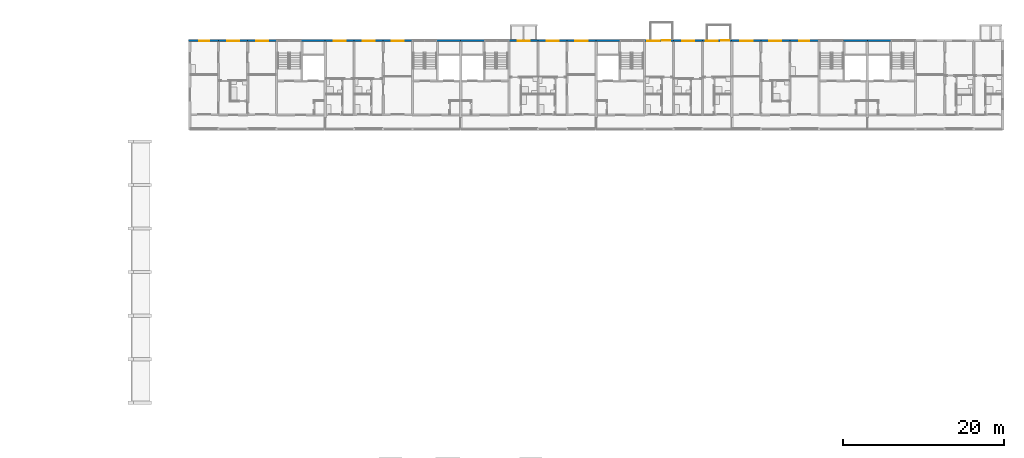
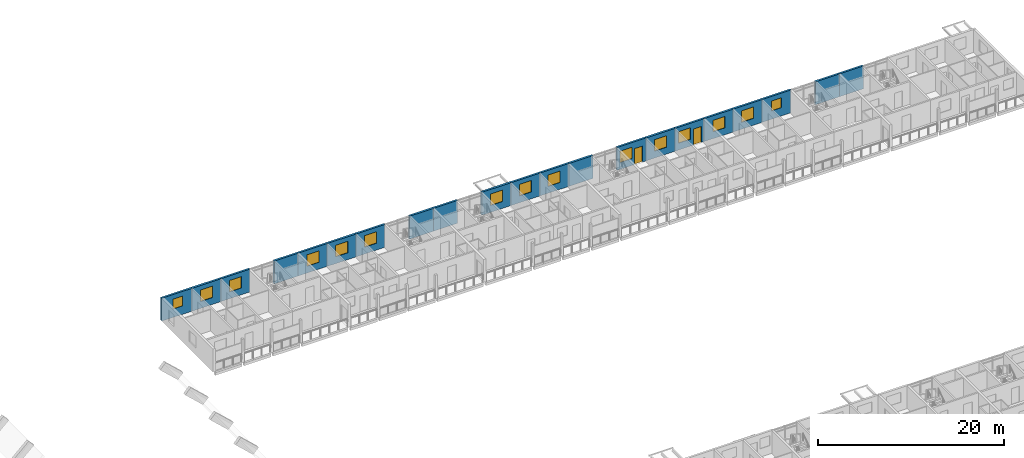
# One storey, part 59 of 98: 21 walls, 15 windows, 2 doors, 17 openings.
"""IFC4 building model written with IfcOpenShell, lengths in metres."""

from ifc_helpers import new_model, si_unit, direction, frame, frame_2d, origin, place, context, subcontext, project, spatial, rectangle, extrude, material, layer, layer_set, type_object, element, fill, save


model = new_model("IFC4")

# Units and contexts
model_context = context("Model", 3, precision=1e-05, world=origin(), true_north=direction((0.0, 1.0)))
body_context = subcontext(model_context, "Body", "Model", "MODEL_VIEW")
ifc_project = project(units=[si_unit("LENGTHUNIT", "METRE"), si_unit("AREAUNIT", "SQUARE_METRE"), si_unit("VOLUMEUNIT", "CUBIC_METRE"), si_unit("PLANEANGLEUNIT", "RADIAN"), si_unit("MASSUNIT", "GRAM", prefix="KILO")], contexts=[model_context])

# Site, building, storey
site_placement = place(None, origin())
site = spatial("IfcSite", under=ifc_project, at=site_placement, CompositionType="ELEMENT")
building_placement = place(site_placement, origin())
building = spatial("IfcBuilding", under=site, at=building_placement, Name="Ridgestep Commons", CompositionType="ELEMENT")
storey_placement = place(building_placement, frame((0.0, 0.0, 12.0)))
storey = spatial("IfcBuildingStorey", under=building, at=storey_placement, Name="L04", CompositionType="ELEMENT", Elevation=12.0)

# Wall, opening, window
ifc_material_1 = material(Name="Precast concrete C40/50", Category="concrete")
ifc_layer = layer(ifc_material_1, 0.25)
ifc_layer_set = layer_set([ifc_layer], Name="North facade panel 250")
wall_type = type_object("IfcWallType", Name="North facade panel 250", PredefinedType="SOLIDWALL", material=ifc_layer_set)
wall_1_placement = place(storey_placement, frame((146.64990234375, 77.125, 0.0), z_axis=(0.0, 0.0, 1.0), x_axis=(1.0, 0.0, 0.0)))
wall_1 = element("IfcWall", 1, at=wall_1_placement, inside=storey, type_object=wall_type, Name="North panel C1T1 L04", PredefinedType="SOLIDWALL", context=body_context, shape_type="SweptSolid", body=[
    extrude(rectangle(XDim=3.75, YDim=0.25, at=frame_2d((1.875, 0.0))), origin(), (0.0, 0.0, 1.0), 3.0),
])
opening_1_placement = place(wall_1_placement, frame((1.375, 0.0, 1.10009765625)))
opening_1 = element("IfcOpeningElement", 2, at=opening_1_placement, cuts=wall_1, Name="Opening W08", PredefinedType="OPENING", context=body_context, shape_type="SweptSolid", body=[
    extrude(rectangle(XDim=1.199951171875, YDim=1.300048828125, at=frame_2d((0.60009765625, 0.64990234375))), frame((0.0, 0.135009765625, 0.0), z_axis=(0.0, -1.0, 0.0), x_axis=(1.0, 0.0, 0.0)), (0.0, 0.0, 1.0), 0.27001953125),
])
ifc_material_2 = material(Name="Aluminium 6063-T6 and glass", Category="aluminium")
window_type_1 = type_object("IfcWindowType", Name="Flat window 1200 x 1300", PartitioningType="SINGLE_PANEL", PredefinedType="WINDOW", material=ifc_material_2)
window_1_placement = place(opening_1_placement, origin())
window_1 = element("IfcWindow", 3, at=window_1_placement, inside=storey, type_object=window_type_1, Name="Window C1-04a 2", OverallHeight=1.300048828125, OverallWidth=1.199951171875, PartitioningType="SINGLE_PANEL", PredefinedType="WINDOW", context=body_context, shape_type="SweptSolid", body=[
    extrude(rectangle(XDim=1.199951171875, YDim=1.300048828125, at=frame_2d((0.60009765625, 0.64990234375))), frame((0.0, -0.02490234375, 0.0), z_axis=(0.0, -1.0, 0.0), x_axis=(1.0, 0.0, 0.0)), (0.0, 0.0, 1.0), 0.06005859375),
])
fill(opening_1, window_1)

wall_2_placement = place(storey_placement, frame((150.39990234375, 77.125, 0.0), z_axis=(0.0, 0.0, 1.0), x_axis=(1.0, 0.0, 0.0)))
wall_2 = element("IfcWall", 4, at=wall_2_placement, inside=storey, type_object=wall_type, Name="North panel C1T2 L04", PredefinedType="SOLIDWALL", context=body_context, shape_type="SweptSolid", body=[
    extrude(rectangle(XDim=3.60009765625, YDim=0.25, at=frame_2d((1.800048828125, 0.0))), origin(), (0.0, 0.0, 1.0), 3.0),
])
opening_2_placement = place(wall_2_placement, frame((1.050048828125, 0.0, 0.89990234375)))
opening_2 = element("IfcOpeningElement", 5, at=opening_2_placement, cuts=wall_2, Name="Opening W16", PredefinedType="OPENING", context=body_context, shape_type="SweptSolid", body=[
    extrude(rectangle(XDim=1.5, YDim=1.5, at=frame_2d((0.75, 0.75))), frame((0.0, 0.135009765625, 0.0), z_axis=(0.0, -1.0, 0.0), x_axis=(1.0, 0.0, 0.0)), (0.0, 0.0, 1.0), 0.27001953125),
])
ifc_material_3 = material(Name="Aluminium 6063-T6 and glass", Category="aluminium")
window_type_2 = type_object("IfcWindowType", Name="Flat window 1500 x 1500", PartitioningType="DOUBLE_PANEL_VERTICAL", PredefinedType="WINDOW", material=ifc_material_3)
window_2_placement = place(opening_2_placement, origin())
window_2 = element("IfcWindow", 6, at=window_2_placement, inside=storey, type_object=window_type_2, Name="Window C1-04a 5", OverallHeight=1.5, OverallWidth=1.5, PartitioningType="SINGLE_PANEL", PredefinedType="WINDOW", context=body_context, shape_type="SweptSolid", body=[
    extrude(rectangle(XDim=1.5, YDim=1.5, at=frame_2d((0.75, 0.75))), frame((0.0, -0.02490234375, 0.0), z_axis=(0.0, -1.0, 0.0), x_axis=(1.0, 0.0, 0.0)), (0.0, 0.0, 1.0), 0.06005859375),
])
fill(opening_2, window_2)

wall_3_placement = place(storey_placement, frame((154.0, 77.125, 0.0), z_axis=(0.0, 0.0, 1.0), x_axis=(1.0, 0.0, 0.0)))
wall_3 = element("IfcWall", 7, at=wall_3_placement, inside=storey, type_object=wall_type, Name="North panel C1T3 L04", PredefinedType="SOLIDWALL", context=body_context, shape_type="SweptSolid", body=[
    extrude(rectangle(XDim=3.60009765625, YDim=0.25, at=frame_2d((1.800048828125, 0.0))), origin(), (0.0, 0.0, 1.0), 3.0),
])
opening_3_placement = place(wall_3_placement, frame((1.03759765625, 0.0, 0.89990234375)))
opening_3 = element("IfcOpeningElement", 8, at=opening_3_placement, cuts=wall_3, Name="Opening W16", PredefinedType="OPENING", context=body_context, shape_type="SweptSolid", body=[
    extrude(rectangle(XDim=1.5, YDim=1.5, at=frame_2d((0.75, 0.75))), frame((0.0, 0.135009765625, 0.0), z_axis=(0.0, -1.0, 0.0), x_axis=(1.0, 0.0, 0.0)), (0.0, 0.0, 1.0), 0.27001953125),
])
window_3_placement = place(opening_3_placement, origin())
window_3 = element("IfcWindow", 9, at=window_3_placement, inside=storey, type_object=window_type_2, Name="Window C1-04a 4", OverallHeight=1.5, OverallWidth=1.5, PartitioningType="SINGLE_PANEL", PredefinedType="WINDOW", context=body_context, shape_type="SweptSolid", body=[
    extrude(rectangle(XDim=1.5, YDim=1.5, at=frame_2d((0.75, 0.75))), frame((0.0, -0.02490234375, 0.0), z_axis=(0.0, -1.0, 0.0), x_axis=(1.0, 0.0, 0.0)), (0.0, 0.0, 1.0), 0.06005859375),
])
fill(opening_3, window_3)

# Wall
wall_4_placement = place(storey_placement, frame((160.625, 77.125, 0.0), z_axis=(0.0, 0.0, 1.0), x_axis=(1.0, 0.0, 0.0)))
element("IfcWall", 10, at=wall_4_placement, inside=storey, type_object=wall_type, Name="North panel C1C L04", PredefinedType="SOLIDWALL", context=body_context, shape_type="SweptSolid", body=[
    extrude(rectangle(XDim=2.97509765625, YDim=0.25, at=frame_2d((1.487548828125, 0.0))), origin(), (0.0, 0.0, 1.0), 3.0),
])

# Wall, opening, window
wall_5_placement = place(storey_placement, frame((163.60009765625, 77.125, 0.0), z_axis=(0.0, 0.0, 1.0), x_axis=(1.0, 0.0, 0.0)))
wall_5 = element("IfcWall", 11, at=wall_5_placement, inside=storey, type_object=wall_type, Name="North panel C2T1 L04", PredefinedType="SOLIDWALL", context=body_context, shape_type="SweptSolid", body=[
    extrude(rectangle(XDim=3.599853515625, YDim=0.25, at=frame_2d((1.7998046875, 0.0))), origin(), (0.0, 0.0, 1.0), 3.0),
])
opening_4_placement = place(wall_5_placement, frame((1.074951171875, 0.0, 0.89990234375)))
opening_4 = element("IfcOpeningElement", 12, at=opening_4_placement, cuts=wall_5, Name="Opening W16", PredefinedType="OPENING", context=body_context, shape_type="SweptSolid", body=[
    extrude(rectangle(XDim=1.5, YDim=1.5, at=frame_2d((0.75, 0.75))), frame((0.0, 0.135009765625, 0.0), z_axis=(0.0, -1.0, 0.0), x_axis=(1.0, 0.0, 0.0)), (0.0, 0.0, 1.0), 0.27001953125),
])
window_4_placement = place(opening_4_placement, origin())
window_4 = element("IfcWindow", 13, at=window_4_placement, inside=storey, type_object=window_type_2, Name="Window C2-04a 2", OverallHeight=1.5, OverallWidth=1.5, PartitioningType="SINGLE_PANEL", PredefinedType="WINDOW", context=body_context, shape_type="SweptSolid", body=[
    extrude(rectangle(XDim=1.5, YDim=1.5, at=frame_2d((0.75, 0.75))), frame((0.0, -0.02490234375, 0.0), z_axis=(0.0, -1.0, 0.0), x_axis=(1.0, 0.0, 0.0)), (0.0, 0.0, 1.0), 0.06005859375),
])
fill(opening_4, window_4)

wall_6_placement = place(storey_placement, frame((167.199951171875, 77.125, 0.0), z_axis=(0.0, 0.0, 1.0), x_axis=(1.0, 0.0, 0.0)))
wall_6 = element("IfcWall", 14, at=wall_6_placement, inside=storey, type_object=wall_type, Name="North panel C2T2 L04", PredefinedType="SOLIDWALL", context=body_context, shape_type="SweptSolid", body=[
    extrude(rectangle(XDim=3.60009765625, YDim=0.25, at=frame_2d((1.800048828125, 0.0))), origin(), (0.0, 0.0, 1.0), 3.0),
])
opening_5_placement = place(wall_6_placement, frame((1.050048828125, 0.0, 0.89990234375)))
opening_5 = element("IfcOpeningElement", 15, at=opening_5_placement, cuts=wall_6, Name="Opening W16", PredefinedType="OPENING", context=body_context, shape_type="SweptSolid", body=[
    extrude(rectangle(XDim=1.5, YDim=1.5, at=frame_2d((0.75, 0.75))), frame((0.0, 0.135009765625, 0.0), z_axis=(0.0, -1.0, 0.0), x_axis=(1.0, 0.0, 0.0)), (0.0, 0.0, 1.0), 0.27001953125),
])
window_5_placement = place(opening_5_placement, origin())
window_5 = element("IfcWindow", 16, at=window_5_placement, inside=storey, type_object=window_type_2, Name="Window C2-04b 4", OverallHeight=1.5, OverallWidth=1.5, PartitioningType="SINGLE_PANEL", PredefinedType="WINDOW", context=body_context, shape_type="SweptSolid", body=[
    extrude(rectangle(XDim=1.5, YDim=1.5, at=frame_2d((0.75, 0.75))), frame((0.0, -0.02490234375, 0.0), z_axis=(0.0, -1.0, 0.0), x_axis=(1.0, 0.0, 0.0)), (0.0, 0.0, 1.0), 0.06005859375),
])
fill(opening_5, window_5)

wall_7_placement = place(storey_placement, frame((170.800048828125, 77.125, 0.0), z_axis=(0.0, 0.0, 1.0), x_axis=(1.0, 0.0, 0.0)))
wall_7 = element("IfcWall", 17, at=wall_7_placement, inside=storey, type_object=wall_type, Name="North panel C2T3 L04", PredefinedType="SOLIDWALL", context=body_context, shape_type="SweptSolid", body=[
    extrude(rectangle(XDim=3.599853515625, YDim=0.25, at=frame_2d((1.7998046875, 0.0))), origin(), (0.0, 0.0, 1.0), 3.0),
])
opening_6_placement = place(wall_7_placement, frame((1.03759765625, 0.0, 0.89990234375)))
opening_6 = element("IfcOpeningElement", 18, at=opening_6_placement, cuts=wall_7, Name="Opening W16", PredefinedType="OPENING", context=body_context, shape_type="SweptSolid", body=[
    extrude(rectangle(XDim=1.5, YDim=1.5, at=frame_2d((0.75, 0.75))), frame((0.0, 0.135009765625, 0.0), z_axis=(0.0, -1.0, 0.0), x_axis=(1.0, 0.0, 0.0)), (0.0, 0.0, 1.0), 0.27001953125),
])
window_6_placement = place(opening_6_placement, origin())
window_6 = element("IfcWindow", 19, at=window_6_placement, inside=storey, type_object=window_type_2, Name="Window C2-04b 2", OverallHeight=1.5, OverallWidth=1.5, PartitioningType="SINGLE_PANEL", PredefinedType="WINDOW", context=body_context, shape_type="SweptSolid", body=[
    extrude(rectangle(XDim=1.5, YDim=1.5, at=frame_2d((0.75, 0.75))), frame((0.0, -0.02490234375, 0.0), z_axis=(0.0, -1.0, 0.0), x_axis=(1.0, 0.0, 0.0)), (0.0, 0.0, 1.0), 0.06005859375),
])
fill(opening_6, window_6)

# Walls
wall_8_placement = place(storey_placement, frame((177.425048828125, 77.125, 0.0), z_axis=(0.0, 0.0, 1.0), x_axis=(1.0, 0.0, 0.0)))
element("IfcWall", 20, at=wall_8_placement, inside=storey, type_object=wall_type, Name="North panel C2C L04", PredefinedType="SOLIDWALL", context=body_context, shape_type="SweptSolid", body=[
    extrude(rectangle(XDim=2.974853515625, YDim=0.25, at=frame_2d((1.4873046875, 0.0))), origin(), (0.0, 0.0, 1.0), 3.0),
])
wall_9_placement = place(storey_placement, frame((180.39990234375, 77.125, 0.0), z_axis=(0.0, 0.0, 1.0), x_axis=(1.0, 0.0, 0.0)))
element("IfcWall", 21, at=wall_9_placement, inside=storey, type_object=wall_type, Name="North panel C3C L04", PredefinedType="SOLIDWALL", context=body_context, shape_type="SweptSolid", body=[
    extrude(rectangle(XDim=2.97509765625, YDim=0.25, at=frame_2d((1.487548828125, 0.0))), origin(), (0.0, 0.0, 1.0), 3.0),
])

# Wall, opening, window
wall_10_placement = place(storey_placement, frame((186.39990234375, 77.125, 0.0), z_axis=(0.0, 0.0, 1.0), x_axis=(1.0, 0.0, 0.0)))
wall_10 = element("IfcWall", 22, at=wall_10_placement, inside=storey, type_object=wall_type, Name="North panel C3T3 L04", PredefinedType="SOLIDWALL", context=body_context, shape_type="SweptSolid", body=[
    extrude(rectangle(XDim=3.60009765625, YDim=0.25, at=frame_2d((1.800048828125, 0.0))), origin(), (0.0, 0.0, 1.0), 3.0),
])
opening_7_placement = place(wall_10_placement, frame((1.0625, 0.0, 0.89990234375)))
opening_7 = element("IfcOpeningElement", 23, at=opening_7_placement, cuts=wall_10, Name="Opening W16", PredefinedType="OPENING", context=body_context, shape_type="SweptSolid", body=[
    extrude(rectangle(XDim=1.5, YDim=1.5, at=frame_2d((0.75, 0.75))), frame((0.0, 0.135009765625, 0.0), z_axis=(0.0, -1.0, 0.0), x_axis=(1.0, 0.0, 0.0)), (0.0, 0.0, 1.0), 0.27001953125),
])
window_7_placement = place(opening_7_placement, origin())
window_7 = element("IfcWindow", 24, at=window_7_placement, inside=storey, type_object=window_type_2, Name="Window C3-04b 2", OverallHeight=1.5, OverallWidth=1.5, PartitioningType="SINGLE_PANEL", PredefinedType="WINDOW", context=body_context, shape_type="SweptSolid", body=[
    extrude(rectangle(XDim=1.5, YDim=1.5, at=frame_2d((0.75, 0.75))), frame((0.0, -0.02490234375, 0.0), z_axis=(0.0, -1.0, 0.0), x_axis=(1.0, 0.0, 0.0)), (0.0, 0.0, 1.0), 0.06005859375),
])
fill(opening_7, window_7)

wall_11_placement = place(storey_placement, frame((190.0, 77.125, 0.0), z_axis=(0.0, 0.0, 1.0), x_axis=(1.0, 0.0, 0.0)))
wall_11 = element("IfcWall", 25, at=wall_11_placement, inside=storey, type_object=wall_type, Name="North panel C3T2 L04", PredefinedType="SOLIDWALL", context=body_context, shape_type="SweptSolid", body=[
    extrude(rectangle(XDim=3.60009765625, YDim=0.25, at=frame_2d((1.800048828125, 0.0))), origin(), (0.0, 0.0, 1.0), 3.0),
])
opening_8_placement = place(wall_11_placement, frame((1.050048828125, 0.0, 0.89990234375)))
opening_8 = element("IfcOpeningElement", 26, at=opening_8_placement, cuts=wall_11, Name="Opening W16", PredefinedType="OPENING", context=body_context, shape_type="SweptSolid", body=[
    extrude(rectangle(XDim=1.5, YDim=1.5, at=frame_2d((0.75, 0.75))), frame((0.0, 0.135009765625, 0.0), z_axis=(0.0, -1.0, 0.0), x_axis=(1.0, 0.0, 0.0)), (0.0, 0.0, 1.0), 0.27001953125),
])
window_8_placement = place(opening_8_placement, origin())
window_8 = element("IfcWindow", 27, at=window_8_placement, inside=storey, type_object=window_type_2, Name="Window C3-04a 4", OverallHeight=1.5, OverallWidth=1.5, PartitioningType="SINGLE_PANEL", PredefinedType="WINDOW", context=body_context, shape_type="SweptSolid", body=[
    extrude(rectangle(XDim=1.5, YDim=1.5, at=frame_2d((0.75, 0.75))), frame((0.0, -0.02490234375, 0.0), z_axis=(0.0, -1.0, 0.0), x_axis=(1.0, 0.0, 0.0)), (0.0, 0.0, 1.0), 0.06005859375),
])
fill(opening_8, window_8)

wall_12_placement = place(storey_placement, frame((193.60009765625, 77.125, 0.0), z_axis=(0.0, 0.0, 1.0), x_axis=(1.0, 0.0, 0.0)))
wall_12 = element("IfcWall", 28, at=wall_12_placement, inside=storey, type_object=wall_type, Name="North panel C3T1 L04", PredefinedType="SOLIDWALL", context=body_context, shape_type="SweptSolid", body=[
    extrude(rectangle(XDim=3.599853515625, YDim=0.25, at=frame_2d((1.7998046875, 0.0))), origin(), (0.0, 0.0, 1.0), 3.0),
])
opening_9_placement = place(wall_12_placement, frame((1.02490234375, 0.0, 0.89990234375)))
opening_9 = element("IfcOpeningElement", 29, at=opening_9_placement, cuts=wall_12, Name="Opening W16", PredefinedType="OPENING", context=body_context, shape_type="SweptSolid", body=[
    extrude(rectangle(XDim=1.5, YDim=1.5, at=frame_2d((0.75, 0.75))), frame((0.0, 0.135009765625, 0.0), z_axis=(0.0, -1.0, 0.0), x_axis=(1.0, 0.0, 0.0)), (0.0, 0.0, 1.0), 0.27001953125),
])
window_9_placement = place(opening_9_placement, origin())
window_9 = element("IfcWindow", 30, at=window_9_placement, inside=storey, type_object=window_type_2, Name="Window C3-04a 2", OverallHeight=1.5, OverallWidth=1.5, PartitioningType="SINGLE_PANEL", PredefinedType="WINDOW", context=body_context, shape_type="SweptSolid", body=[
    extrude(rectangle(XDim=1.5, YDim=1.5, at=frame_2d((0.75, 0.75))), frame((0.0, -0.02490234375, 0.0), z_axis=(0.0, -1.0, 0.0), x_axis=(1.0, 0.0, 0.0)), (0.0, 0.0, 1.0), 0.06005859375),
])
fill(opening_9, window_9)

# Wall
wall_13_placement = place(storey_placement, frame((197.199951171875, 77.125, 0.0), z_axis=(0.0, 0.0, 1.0), x_axis=(1.0, 0.0, 0.0)))
element("IfcWall", 31, at=wall_13_placement, inside=storey, type_object=wall_type, Name="North panel C4C L04", PredefinedType="SOLIDWALL", context=body_context, shape_type="SweptSolid", body=[
    extrude(rectangle(XDim=2.97509765625, YDim=0.25, at=frame_2d((1.487548828125, 0.0))), origin(), (0.0, 0.0, 1.0), 3.0),
])

# Wall, openings, door, window
wall_14_placement = place(storey_placement, frame((203.199951171875, 77.125, 0.0), z_axis=(0.0, 0.0, 1.0), x_axis=(1.0, 0.0, 0.0)))
wall_14 = element("IfcWall", 32, at=wall_14_placement, inside=storey, type_object=wall_type, Name="North panel C4T3 L04", PredefinedType="SOLIDWALL", context=body_context, shape_type="SweptSolid", body=[
    extrude(rectangle(XDim=3.60009765625, YDim=0.25, at=frame_2d((1.800048828125, 0.0))), origin(), (0.0, 0.0, 1.0), 3.0),
])
opening_10_placement = place(wall_14_placement, frame((0.347412109375, 0.0, 0.89990234375)))
opening_10 = element("IfcOpeningElement", 33, at=opening_10_placement, cuts=wall_14, Name="Opening W16", PredefinedType="OPENING", context=body_context, shape_type="SweptSolid", body=[
    extrude(rectangle(XDim=1.5, YDim=1.5, at=frame_2d((0.75, 0.75))), frame((0.0, 0.135009765625, 0.0), z_axis=(0.0, -1.0, 0.0), x_axis=(1.0, 0.0, 0.0)), (0.0, 0.0, 1.0), 0.27001953125),
])
opening_11_placement = place(wall_14_placement, frame((2.169921875, 0.0, 0.0)))
opening_11 = element("IfcOpeningElement", 34, at=opening_11_placement, cuts=wall_14, Name="Opening C4-04c/5", PredefinedType="OPENING", context=body_context, shape_type="SweptSolid", body=[
    extrude(rectangle(XDim=1.0, YDim=2.10009765625, at=frame_2d((0.5, 1.050048828125))), frame((0.0, 0.135009765625, 0.0), z_axis=(0.0, -1.0, 0.0), x_axis=(1.0, 0.0, 0.0)), (0.0, 0.0, 1.0), 0.27001953125),
])
ifc_material_4 = material(Name="Aluminium and glass", Category="aluminium")
door_type = type_object("IfcDoorType", Name="Balcony door 1000 x 2100", OperationType="NOTDEFINED", PredefinedType="DOOR", material=ifc_material_4)
door_1_placement = place(opening_11_placement, origin())
door_1 = element("IfcDoor", 35, at=door_1_placement, inside=storey, type_object=door_type, Name="Balcony door C4-04c/5", OperationType="SINGLE_SWING_LEFT", OverallHeight=2.10009765625, OverallWidth=1.0, PredefinedType="DOOR", context=body_context, shape_type="SweptSolid", body=[
    extrude(rectangle(XDim=1.0, YDim=2.10009765625, at=frame_2d((0.5, 1.050048828125))), frame((0.0, 0.02490234375, 0.0), z_axis=(0.0, -1.0, 0.0), x_axis=(1.0, 0.0, 0.0)), (0.0, 0.0, 1.0), 0.050048828125),
])
fill(opening_11, door_1)
window_10_placement = place(opening_10_placement, origin())
window_10 = element("IfcWindow", 36, at=window_10_placement, inside=storey, type_object=window_type_2, Name="Window C4-04c 2", OverallHeight=1.5, OverallWidth=1.5, PartitioningType="SINGLE_PANEL", PredefinedType="WINDOW", context=body_context, shape_type="SweptSolid", body=[
    extrude(rectangle(XDim=1.5, YDim=1.5, at=frame_2d((0.75, 0.75))), frame((0.0, -0.02490234375, 0.0), z_axis=(0.0, -1.0, 0.0), x_axis=(1.0, 0.0, 0.0)), (0.0, 0.0, 1.0), 0.06005859375),
])
fill(opening_10, window_10)

# Wall, opening, window
wall_15_placement = place(storey_placement, frame((206.800048828125, 77.125, 0.0), z_axis=(0.0, 0.0, 1.0), x_axis=(1.0, 0.0, 0.0)))
wall_15 = element("IfcWall", 37, at=wall_15_placement, inside=storey, type_object=wall_type, Name="North panel C4T2 L04", PredefinedType="SOLIDWALL", context=body_context, shape_type="SweptSolid", body=[
    extrude(rectangle(XDim=3.599853515625, YDim=0.25, at=frame_2d((1.7998046875, 0.0))), origin(), (0.0, 0.0, 1.0), 3.0),
])
opening_12_placement = place(wall_15_placement, frame((1.050048828125, 0.0, 0.89990234375)))
opening_12 = element("IfcOpeningElement", 38, at=opening_12_placement, cuts=wall_15, Name="Opening W16", PredefinedType="OPENING", context=body_context, shape_type="SweptSolid", body=[
    extrude(rectangle(XDim=1.5, YDim=1.5, at=frame_2d((0.75, 0.75))), frame((0.0, 0.135009765625, 0.0), z_axis=(0.0, -1.0, 0.0), x_axis=(1.0, 0.0, 0.0)), (0.0, 0.0, 1.0), 0.27001953125),
])
window_11_placement = place(opening_12_placement, origin())
window_11 = element("IfcWindow", 39, at=window_11_placement, inside=storey, type_object=window_type_2, Name="Window C4-04b 2", OverallHeight=1.5, OverallWidth=1.5, PartitioningType="SINGLE_PANEL", PredefinedType="WINDOW", context=body_context, shape_type="SweptSolid", body=[
    extrude(rectangle(XDim=1.5, YDim=1.5, at=frame_2d((0.75, 0.75))), frame((0.0, -0.02490234375, 0.0), z_axis=(0.0, -1.0, 0.0), x_axis=(1.0, 0.0, 0.0)), (0.0, 0.0, 1.0), 0.06005859375),
])
fill(opening_12, window_11)

# Wall, openings, door, window
wall_16_placement = place(storey_placement, frame((210.39990234375, 77.125, 0.0), z_axis=(0.0, 0.0, 1.0), x_axis=(1.0, 0.0, 0.0)))
wall_16 = element("IfcWall", 40, at=wall_16_placement, inside=storey, type_object=wall_type, Name="North panel C4T1 L04", PredefinedType="SOLIDWALL", context=body_context, shape_type="SweptSolid", body=[
    extrude(rectangle(XDim=3.60009765625, YDim=0.25, at=frame_2d((1.800048828125, 0.0))), origin(), (0.0, 0.0, 1.0), 3.0),
])
opening_13_placement = place(wall_16_placement, frame((0.389892578125, 0.0, 0.89990234375)))
opening_13 = element("IfcOpeningElement", 41, at=opening_13_placement, cuts=wall_16, Name="Opening W16", PredefinedType="OPENING", context=body_context, shape_type="SweptSolid", body=[
    extrude(rectangle(XDim=1.5, YDim=1.5, at=frame_2d((0.75, 0.75))), frame((0.0, 0.135009765625, 0.0), z_axis=(0.0, -1.0, 0.0), x_axis=(1.0, 0.0, 0.0)), (0.0, 0.0, 1.0), 0.27001953125),
])
opening_14_placement = place(wall_16_placement, frame((2.280029296875, 0.0, 0.0)))
opening_14 = element("IfcOpeningElement", 42, at=opening_14_placement, cuts=wall_16, Name="Opening C4-04a/5", PredefinedType="OPENING", context=body_context, shape_type="SweptSolid", body=[
    extrude(rectangle(XDim=1.0, YDim=2.10009765625, at=frame_2d((0.5, 1.050048828125))), frame((0.0, 0.135009765625, 0.0), z_axis=(0.0, -1.0, 0.0), x_axis=(1.0, 0.0, 0.0)), (0.0, 0.0, 1.0), 0.27001953125),
])
door_2_placement = place(opening_14_placement, origin())
door_2 = element("IfcDoor", 43, at=door_2_placement, inside=storey, type_object=door_type, Name="Balcony door C4-04a/5", OperationType="SINGLE_SWING_LEFT", OverallHeight=2.10009765625, OverallWidth=1.0, PredefinedType="DOOR", context=body_context, shape_type="SweptSolid", body=[
    extrude(rectangle(XDim=1.0, YDim=2.10009765625, at=frame_2d((0.5, 1.050048828125))), frame((0.0, 0.02490234375, 0.0), z_axis=(0.0, -1.0, 0.0), x_axis=(1.0, 0.0, 0.0)), (0.0, 0.0, 1.0), 0.050048828125),
])
fill(opening_14, door_2)
window_12_placement = place(opening_13_placement, origin())
window_12 = element("IfcWindow", 44, at=window_12_placement, inside=storey, type_object=window_type_2, Name="Window C4-04a 2", OverallHeight=1.5, OverallWidth=1.5, PartitioningType="SINGLE_PANEL", PredefinedType="WINDOW", context=body_context, shape_type="SweptSolid", body=[
    extrude(rectangle(XDim=1.5, YDim=1.5, at=frame_2d((0.75, 0.75))), frame((0.0, -0.02490234375, 0.0), z_axis=(0.0, -1.0, 0.0), x_axis=(1.0, 0.0, 0.0)), (0.0, 0.0, 1.0), 0.06005859375),
])
fill(opening_13, window_12)

# Wall, opening, window
wall_17_placement = place(storey_placement, frame((214.0, 77.125, 0.0), z_axis=(0.0, 0.0, 1.0), x_axis=(1.0, 0.0, 0.0)))
wall_17 = element("IfcWall", 45, at=wall_17_placement, inside=storey, type_object=wall_type, Name="North panel C5T1 L04", PredefinedType="SOLIDWALL", context=body_context, shape_type="SweptSolid", body=[
    extrude(rectangle(XDim=3.60009765625, YDim=0.25, at=frame_2d((1.800048828125, 0.0))), origin(), (0.0, 0.0, 1.0), 3.0),
])
opening_15_placement = place(wall_17_placement, frame((1.074951171875, 0.0, 0.89990234375)))
opening_15 = element("IfcOpeningElement", 46, at=opening_15_placement, cuts=wall_17, Name="Opening W16", PredefinedType="OPENING", context=body_context, shape_type="SweptSolid", body=[
    extrude(rectangle(XDim=1.5, YDim=1.5, at=frame_2d((0.75, 0.75))), frame((0.0, 0.135009765625, 0.0), z_axis=(0.0, -1.0, 0.0), x_axis=(1.0, 0.0, 0.0)), (0.0, 0.0, 1.0), 0.27001953125),
])
window_13_placement = place(opening_15_placement, origin())
window_13 = element("IfcWindow", 47, at=window_13_placement, inside=storey, type_object=window_type_2, Name="Window C5-04a 2", OverallHeight=1.5, OverallWidth=1.5, PartitioningType="SINGLE_PANEL", PredefinedType="WINDOW", context=body_context, shape_type="SweptSolid", body=[
    extrude(rectangle(XDim=1.5, YDim=1.5, at=frame_2d((0.75, 0.75))), frame((0.0, -0.02490234375, 0.0), z_axis=(0.0, -1.0, 0.0), x_axis=(1.0, 0.0, 0.0)), (0.0, 0.0, 1.0), 0.06005859375),
])
fill(opening_15, window_13)

wall_18_placement = place(storey_placement, frame((217.60009765625, 77.125, 0.0), z_axis=(0.0, 0.0, 1.0), x_axis=(1.0, 0.0, 0.0)))
wall_18 = element("IfcWall", 48, at=wall_18_placement, inside=storey, type_object=wall_type, Name="North panel C5T2 L04", PredefinedType="SOLIDWALL", context=body_context, shape_type="SweptSolid", body=[
    extrude(rectangle(XDim=3.599853515625, YDim=0.25, at=frame_2d((1.7998046875, 0.0))), origin(), (0.0, 0.0, 1.0), 3.0),
])
opening_16_placement = place(wall_18_placement, frame((1.050048828125, 0.0, 0.89990234375)))
opening_16 = element("IfcOpeningElement", 49, at=opening_16_placement, cuts=wall_18, Name="Opening W16", PredefinedType="OPENING", context=body_context, shape_type="SweptSolid", body=[
    extrude(rectangle(XDim=1.5, YDim=1.5, at=frame_2d((0.75, 0.75))), frame((0.0, 0.135009765625, 0.0), z_axis=(0.0, -1.0, 0.0), x_axis=(1.0, 0.0, 0.0)), (0.0, 0.0, 1.0), 0.27001953125),
])
window_14_placement = place(opening_16_placement, origin())
window_14 = element("IfcWindow", 50, at=window_14_placement, inside=storey, type_object=window_type_2, Name="Window C5-04a 5", OverallHeight=1.5, OverallWidth=1.5, PartitioningType="SINGLE_PANEL", PredefinedType="WINDOW", context=body_context, shape_type="SweptSolid", body=[
    extrude(rectangle(XDim=1.5, YDim=1.5, at=frame_2d((0.75, 0.75))), frame((0.0, -0.02490234375, 0.0), z_axis=(0.0, -1.0, 0.0), x_axis=(1.0, 0.0, 0.0)), (0.0, 0.0, 1.0), 0.06005859375),
])
fill(opening_16, window_14)

wall_19_placement = place(storey_placement, frame((221.199951171875, 77.125, 0.0), z_axis=(0.0, 0.0, 1.0), x_axis=(1.0, 0.0, 0.0)))
wall_19 = element("IfcWall", 51, at=wall_19_placement, inside=storey, type_object=wall_type, Name="North panel C5T3 L04", PredefinedType="SOLIDWALL", context=body_context, shape_type="SweptSolid", body=[
    extrude(rectangle(XDim=3.60009765625, YDim=0.25, at=frame_2d((1.800048828125, 0.0))), origin(), (0.0, 0.0, 1.0), 3.0),
])
opening_17_placement = place(wall_19_placement, frame((1.1875, 0.0, 1.10009765625)))
opening_17 = element("IfcOpeningElement", 52, at=opening_17_placement, cuts=wall_19, Name="Opening W08", PredefinedType="OPENING", context=body_context, shape_type="SweptSolid", body=[
    extrude(rectangle(XDim=1.199951171875, YDim=1.300048828125, at=frame_2d((0.60009765625, 0.64990234375))), frame((0.0, 0.135009765625, 0.0), z_axis=(0.0, -1.0, 0.0), x_axis=(1.0, 0.0, 0.0)), (0.0, 0.0, 1.0), 0.27001953125),
])
window_15_placement = place(opening_17_placement, origin())
window_15 = element("IfcWindow", 53, at=window_15_placement, inside=storey, type_object=window_type_1, Name="Window C5-04a 4", OverallHeight=1.300048828125, OverallWidth=1.199951171875, PartitioningType="SINGLE_PANEL", PredefinedType="WINDOW", context=body_context, shape_type="SweptSolid", body=[
    extrude(rectangle(XDim=1.199951171875, YDim=1.300048828125, at=frame_2d((0.60009765625, 0.64990234375))), frame((0.0, -0.02490234375, 0.0), z_axis=(0.0, -1.0, 0.0), x_axis=(1.0, 0.0, 0.0)), (0.0, 0.0, 1.0), 0.06005859375),
])
fill(opening_17, window_15)

# Walls
wall_20_placement = place(storey_placement, frame((227.824951171875, 77.125, 0.0), z_axis=(0.0, 0.0, 1.0), x_axis=(1.0, 0.0, 0.0)))
element("IfcWall", 54, at=wall_20_placement, inside=storey, type_object=wall_type, Name="North panel C5C L04", PredefinedType="SOLIDWALL", context=body_context, shape_type="SweptSolid", body=[
    extrude(rectangle(XDim=2.97509765625, YDim=0.25, at=frame_2d((1.487548828125, 0.0))), origin(), (0.0, 0.0, 1.0), 3.0),
])
wall_21_placement = place(storey_placement, frame((230.800048828125, 77.125, 0.0), z_axis=(0.0, 0.0, 1.0), x_axis=(1.0, 0.0, 0.0)))
element("IfcWall", 55, at=wall_21_placement, inside=storey, type_object=wall_type, Name="North panel C6C L04", PredefinedType="SOLIDWALL", context=body_context, shape_type="SweptSolid", body=[
    extrude(rectangle(XDim=2.974853515625, YDim=0.25, at=frame_2d((1.4873046875, 0.0))), origin(), (0.0, 0.0, 1.0), 3.0),
])

save(model, "model.ifc")
